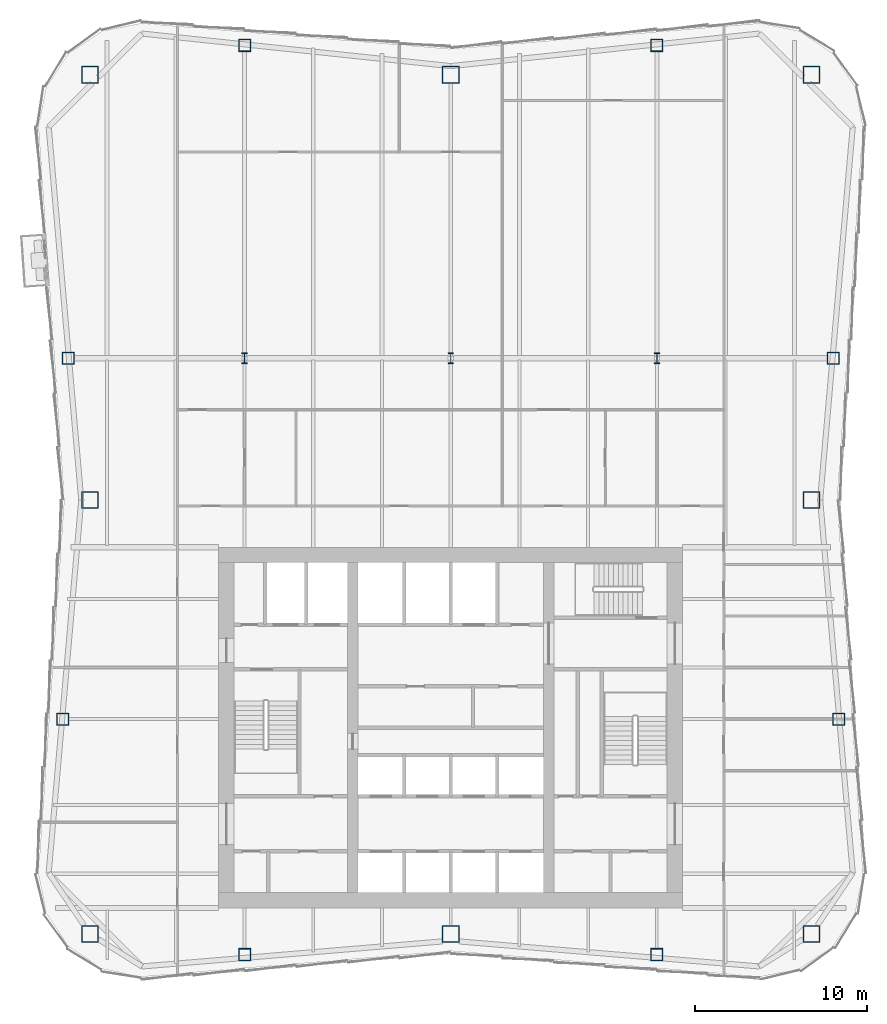
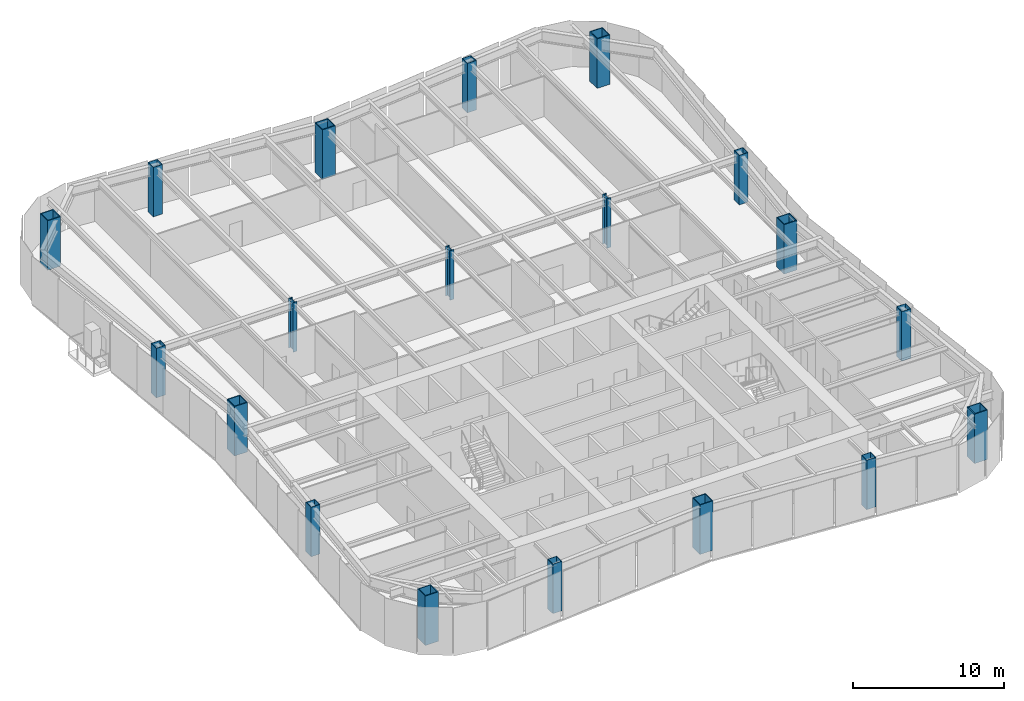
# One storey, part 1 of 10: 19 columns.
"""IFC4 building model written with IfcOpenShell, lengths in metres."""

from ifc_helpers import new_model, si_unit, direction, frame, origin, origin_2d, place, context, subcontext, project, spatial, hollow_rectangle, i_section, extrude, material, material_profile, profile_set, type_object, element, save


model = new_model("IFC4")

# Units and contexts
model_context = context("Model", 3, precision=1e-05, world=origin(), true_north=direction((0.0, 1.0)))
body_context = subcontext(model_context, "Body", "Model", "MODEL_VIEW")
ifc_project = project(units=[si_unit("LENGTHUNIT", "METRE"), si_unit("AREAUNIT", "SQUARE_METRE"), si_unit("VOLUMEUNIT", "CUBIC_METRE"), si_unit("PLANEANGLEUNIT", "RADIAN"), si_unit("MASSUNIT", "GRAM", prefix="KILO")], contexts=[model_context])

# Site, building, storey
site_placement = place(None, origin())
site = spatial("IfcSite", under=ifc_project, at=site_placement, CompositionType="ELEMENT")
building_placement = place(site_placement, origin())
building = spatial("IfcBuilding", under=site, at=building_placement, Name="Verdant Reach Tower", CompositionType="ELEMENT")
storey_placement = place(building_placement, frame((0.0, 0.0, 214.0)))
storey = spatial("IfcBuildingStorey", under=building, at=storey_placement, Name="L49", CompositionType="ELEMENT", Elevation=214.0)

# Columns
ifc_material = material(Name="Steel S460", Category="steel")
ifc_material_profile_1 = material_profile(ifc_material, i_section(OverallWidth=0.304931640625, OverallDepth=0.6201171875, WebThickness=0.02099609375, FlangeThickness=0.0400390625, FilletRadius=0.027099609375, at=origin_2d()), Name="HEM 600")
ifc_profile_set_1 = profile_set([ifc_material_profile_1], Name="Steel S460")
column_type_1 = type_object("IfcColumnType", Name="ST-COL-HEM600", PredefinedType="COLUMN", material=ifc_profile_set_1)
for number, where, z_axis, x_axis, name in (
    (1, (-12.0, 49.5, 0.0), (0.0, 0.0, 1.0), (1.0, 0.0, 0.0), "Interior column 1, L49"),
    (2, (0.0, 49.5, 0.0), (0.0, 0.0, 1.0), (1.0, 0.0, 0.0), "Interior column 2, L49"),
    (3, (12.0, 49.5, 0.0), (0.0, 0.0, 1.0), (1.0, 0.0, 0.0), "Interior column 3, L49"),
):
    element("IfcColumn", number, at=place(storey_placement, frame(where, z_axis=z_axis, x_axis=x_axis)), inside=storey, type_object=column_type_1, Name=name, PredefinedType="COLUMN", context=body_context, shape_type="SweptSolid", body=[
        extrude(i_section(OverallWidth=0.304931640625, OverallDepth=0.6201171875, WebThickness=0.02099609375, FlangeThickness=0.0400390625, FilletRadius=0.027099609375, at=origin_2d()), origin(), (0.0, 0.0, 1.0), 4.0),
    ])
ifc_material_profile_2 = material_profile(ifc_material, hollow_rectangle(XDim=1.0, YDim=1.0, WallThickness=0.06005859375, at=origin_2d()), Name="WB 1000x1000x60")
ifc_profile_set_2 = profile_set([ifc_material_profile_2], Name="Steel S460")
column_type_2 = type_object("IfcColumnType", Name="ST-COL-WB1000x1000x60", PredefinedType="COLUMN", material=ifc_profile_set_2)
for number, where, z_axis, x_axis, name in (
    (4, (-21.0, 66.0, 0.0), (0.0, 0.0, 1.0), (1.0, 0.0, 0.0), "Mega column north-west, L49"),
    (5, (0.0, 66.0, 0.0), (0.0, 0.0, 1.0), (1.0, 0.0, 0.0), "Mega column north, L49"),
    (6, (21.0, 66.0, 0.0), (0.0, 0.0, 1.0), (1.0, 0.0, 0.0), "Mega column north-east, L49"),
    (7, (21.0, 41.25, 0.0), (0.0, 0.0, 1.0), (1.0, 0.0, 0.0), "Mega column east, L49"),
    (8, (21.0, 16.0, 0.0), (0.0, 0.0, 1.0), (1.0, 0.0, 0.0), "Mega column south-east, L49"),
    (9, (0.0, 16.0, 0.0), (0.0, 0.0, 1.0), (1.0, 0.0, 0.0), "Mega column south, L49"),
    (10, (-21.0, 16.0, 0.0), (0.0, 0.0, 1.0), (1.0, 0.0, 0.0), "Mega column south-west, L49"),
    (11, (-21.0, 41.25, 0.0), (0.0, 0.0, 1.0), (1.0, 0.0, 0.0), "Mega column west, L49"),
):
    element("IfcColumn", number, at=place(storey_placement, frame(where, z_axis=z_axis, x_axis=x_axis)), inside=storey, type_object=column_type_2, Name=name, PredefinedType="COLUMN", context=body_context, shape_type="SweptSolid", body=[
        extrude(hollow_rectangle(XDim=1.0, YDim=1.0, WallThickness=0.06005859375, at=origin_2d()), origin(), (0.0, 0.0, 1.0), 4.0),
    ])
ifc_material_profile_3 = material_profile(ifc_material, hollow_rectangle(XDim=0.699951171875, YDim=0.699951171875, WallThickness=0.030029296875, at=origin_2d()), Name="WB 700x700x30")
ifc_profile_set_3 = profile_set([ifc_material_profile_3], Name="Steel S460")
column_type_3 = type_object("IfcColumnType", Name="ST-COL-WB700x700x30", PredefinedType="COLUMN", material=ifc_profile_set_3)
for number, where, z_axis, x_axis, name in (
    (12, (-12.0, 67.699951171875, 0.0), (0.0, 0.0, 1.0), (1.0, 0.0, 0.0), "Perimeter column north 1, L49"),
    (13, (12.0, 67.699951171875, 0.0), (0.0, 0.0, 1.0), (1.0, 0.0, 0.0), "Perimeter column north 2, L49"),
    (14, (-12.0, 14.800048828125, 0.0), (0.0, 0.0, 1.0), (1.0, 0.0, 0.0), "Perimeter column south 1, L49"),
    (15, (12.0, 14.800048828125, 0.0), (0.0, 0.0, 1.0), (1.0, 0.0, 0.0), "Perimeter column south 2, L49"),
    (16, (22.579345703125, 28.5, 0.0), (0.0, 0.0, 1.0), (1.0, 0.0, 0.0), "Perimeter column east 1, L49"),
    (17, (22.26904296875, 49.5, 0.0), (0.0, 0.0, 1.0), (1.0, 0.0, 0.0), "Perimeter column east 2, L49"),
    (18, (-22.579345703125, 28.5, 0.0), (0.0, 0.0, 1.0), (1.0, 0.0, 0.0), "Perimeter column west 1, L49"),
    (19, (-22.26904296875, 49.5, 0.0), (0.0, 0.0, 1.0), (1.0, 0.0, 0.0), "Perimeter column west 2, L49"),
):
    element("IfcColumn", number, at=place(storey_placement, frame(where, z_axis=z_axis, x_axis=x_axis)), inside=storey, type_object=column_type_3, Name=name, PredefinedType="COLUMN", context=body_context, shape_type="SweptSolid", body=[
        extrude(hollow_rectangle(XDim=0.699951171875, YDim=0.699951171875, WallThickness=0.030029296875, at=origin_2d()), origin(), (0.0, 0.0, 1.0), 4.0),
    ])

save(model, "model.ifc")
